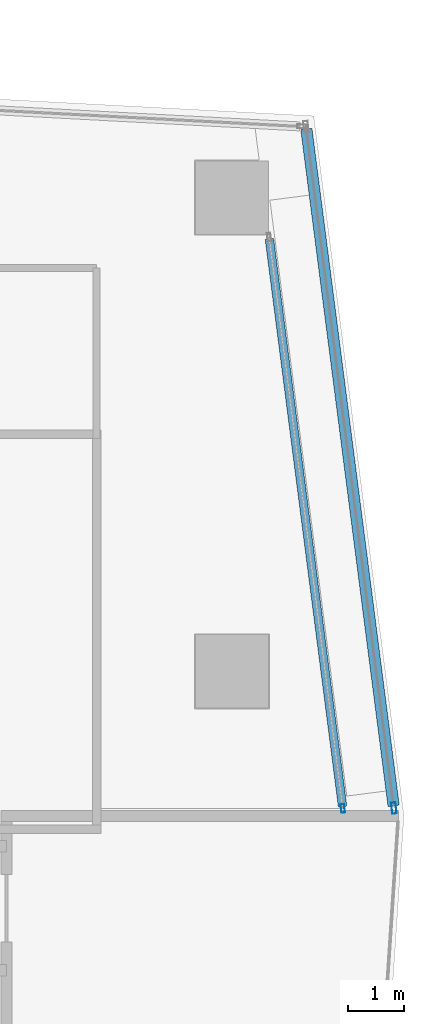
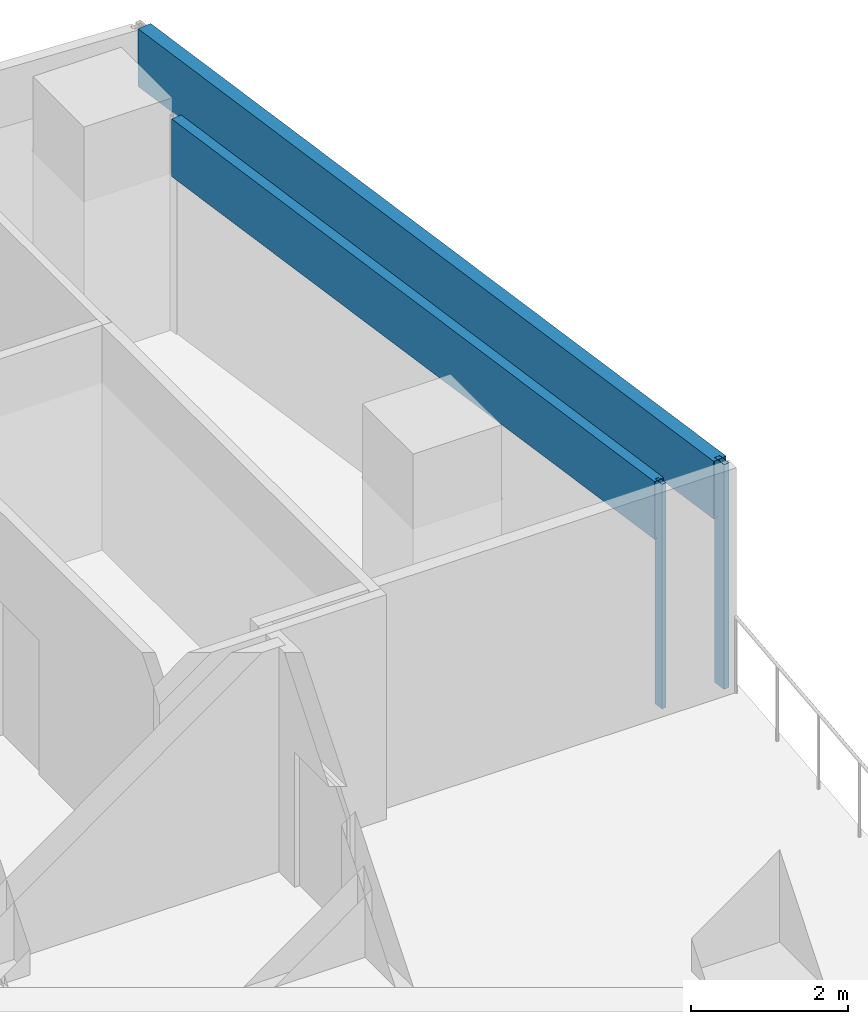
# One storey, part 12 of 28: 4 members, 2 elements without a shape of their own.
"""IFC4 building model written with IfcOpenShell, lengths in metres."""

from ifc_helpers import new_model, si_unit, direction, frame, origin, origin_2d, place, context, subcontext, project, spatial, hollow_rectangle, extrude, material, material_profile, profile_set, type_object, element, aggregate, save


model = new_model("IFC4")

# Units and contexts
model_context = context("Model", 3, precision=1e-05, world=origin(), true_north=direction((0.0, 1.0)))
body_context = subcontext(model_context, "Body", "Model", "MODEL_VIEW")
ifc_project = project(units=[si_unit("LENGTHUNIT", "METRE"), si_unit("AREAUNIT", "SQUARE_METRE"), si_unit("VOLUMEUNIT", "CUBIC_METRE"), si_unit("PLANEANGLEUNIT", "RADIAN"), si_unit("MASSUNIT", "GRAM", prefix="KILO")], contexts=[model_context])

# Site, building, storey
site_placement = place(None, origin())
site = spatial("IfcSite", under=ifc_project, at=site_placement, CompositionType="ELEMENT")
building_placement = place(site_placement, origin())
building = spatial("IfcBuilding", under=site, at=building_placement, Name="Rekha Terrace Tower", CompositionType="ELEMENT")
storey_placement = place(building_placement, frame((0.0, 0.0, 253.85009765625)))
storey = spatial("IfcBuildingStorey", under=building, at=storey_placement, Name="L64", CompositionType="ELEMENT", Elevation=253.85009765625)

# Curtain wall, members
ifc_material_1 = material(Name="Aluminium framing", Category="aluminium")
curtain_wall_type_1 = type_object("IfcCurtainWallType", Name="CW1 double skin inner glazing", PredefinedType="USERDEFINED", material=ifc_material_1)
curtain_wall_1_placement = place(storey_placement, origin())
curtain_wall_1 = element("IfcCurtainWall", 1, at=curtain_wall_1_placement, inside=storey, type_object=curtain_wall_type_1, Name="CW1 double skin inner glazing", ObjectType="DOUBLE SKIN INNER GLAZING", PredefinedType="USERDEFINED")
ifc_material_2 = material(Name="Aluminium mullion section", Category="aluminium")
ifc_material_profile_1 = material_profile(ifc_material_2, hollow_rectangle(XDim=0.06494140625, YDim=0.14990234375, WallThickness=0.00390625, at=origin_2d()), Name="AL RHS 65x150")
ifc_profile_set_1 = profile_set([ifc_material_profile_1], Name="Aluminium mullion section")
member_type_1 = type_object("IfcMemberType", Name="CW1 mullion RHS 65 x 150", PredefinedType="MULLION", material=ifc_profile_set_1)
member_1_placement = place(storey_placement, frame((60.764892578125, 39.567138671875, 0.0), z_axis=(0.0, 0.0, 1.0), x_axis=(-0.99179094947, -0.127869904783, 0.0)))
member_1 = element("IfcMember", 2, at=member_1_placement, type_object=member_type_1, Name="CW1 mullion 1", PredefinedType="MULLION", context=body_context, shape_type="SweptSolid", body=[
    extrude(hollow_rectangle(XDim=0.06494140625, YDim=0.14990234375, WallThickness=0.00390625, at=origin_2d()), origin(), (0.0, 0.0, 1.0), 3.5),
])
ifc_material_3 = material(Name="Insulated aluminium spandrel box", Category="aluminium")
ifc_material_profile_2 = material_profile(ifc_material_3, hollow_rectangle(XDim=0.14990234375, YDim=0.89990234375, WallThickness=0.0029296875, at=origin_2d()), Name="AL SPANDREL BOX 150x900")
ifc_profile_set_2 = profile_set([ifc_material_profile_2], Name="Insulated aluminium spandrel box")
member_type_2 = type_object("IfcMemberType", Name="CW1 spandrel transom 150 x 900", PredefinedType="USERDEFINED", material=ifc_profile_set_2)
member_2_placement = place(storey_placement, frame((60.7607421875, 39.599365234375, 3.0498046875), z_axis=(-0.127867540747, 0.991791254258, 0.0), x_axis=(-0.991791254258, -0.127867540747, 0.0)))
member_2 = element("IfcMember", 3, at=member_2_placement, type_object=member_type_2, Name="CW1 spandrel transom 1", ObjectType="TRANSOM", PredefinedType="USERDEFINED", context=body_context, shape_type="SweptSolid", body=[
    extrude(hollow_rectangle(XDim=0.14990234375, YDim=0.89990234375, WallThickness=0.0029296875, at=origin_2d()), origin(), (0.0, 0.0, 1.0), 10.14990234375),
])
aggregate(curtain_wall_1, [member_1, member_2])

curtain_wall_type_2 = type_object("IfcCurtainWallType", Name="CW2 double skin outer glazing", PredefinedType="USERDEFINED", material=ifc_material_1)
curtain_wall_2_placement = place(storey_placement, origin())
curtain_wall_2 = element("IfcCurtainWall", 4, at=curtain_wall_2_placement, inside=storey, type_object=curtain_wall_type_2, Name="CW2 double skin outer glazing", ObjectType="DOUBLE SKIN OUTER GLAZING", PredefinedType="USERDEFINED")
ifc_material_profile_3 = material_profile(ifc_material_2, hollow_rectangle(XDim=0.080078125, YDim=0.199951171875, WallThickness=0.00390625, at=origin_2d()), Name="AL RHS 80x200")
ifc_profile_set_3 = profile_set([ifc_material_profile_3], Name="Aluminium mullion section")
member_type_3 = type_object("IfcMemberType", Name="CW2 mullion RHS 80 x 200", PredefinedType="MULLION", material=ifc_profile_set_3)
member_3_placement = place(storey_placement, frame((61.67138671875, 39.57470703125, 0.0), z_axis=(0.0, 0.0, 1.0), x_axis=(-0.991790949452, -0.127869904922, 0.0)))
member_3 = element("IfcMember", 5, at=member_3_placement, type_object=member_type_3, Name="CW2 mullion 1", PredefinedType="MULLION", context=body_context, shape_type="SweptSolid", body=[
    extrude(hollow_rectangle(XDim=0.080078125, YDim=0.199951171875, WallThickness=0.00390625, at=origin_2d()), origin(), (0.0, 0.0, 1.0), 3.5),
])
ifc_material_profile_4 = material_profile(ifc_material_3, hollow_rectangle(XDim=0.199951171875, YDim=0.89990234375, WallThickness=0.0029296875, at=origin_2d()), Name="AL SPANDREL BOX 200x900")
ifc_profile_set_4 = profile_set([ifc_material_profile_4], Name="Insulated aluminium spandrel box")
member_type_4 = type_object("IfcMemberType", Name="CW2 spandrel transom 200 x 900", PredefinedType="USERDEFINED", material=ifc_profile_set_4)
member_4_placement = place(storey_placement, frame((61.666259765625, 39.6142578125, 3.0498046875), z_axis=(-0.127869569082, 0.991790992751, 0.0), x_axis=(-0.991790992751, -0.127869569082, 0.0)))
member_4 = element("IfcMember", 6, at=member_4_placement, type_object=member_type_4, Name="CW2 spandrel transom 1", ObjectType="TRANSOM", PredefinedType="USERDEFINED", context=body_context, shape_type="SweptSolid", body=[
    extrude(hollow_rectangle(XDim=0.199951171875, YDim=0.89990234375, WallThickness=0.0029296875, at=origin_2d()), origin(), (0.0, 0.0, 1.0), 12.10302734375),
])
aggregate(curtain_wall_2, [member_3, member_4])

save(model, "model.ifc")
